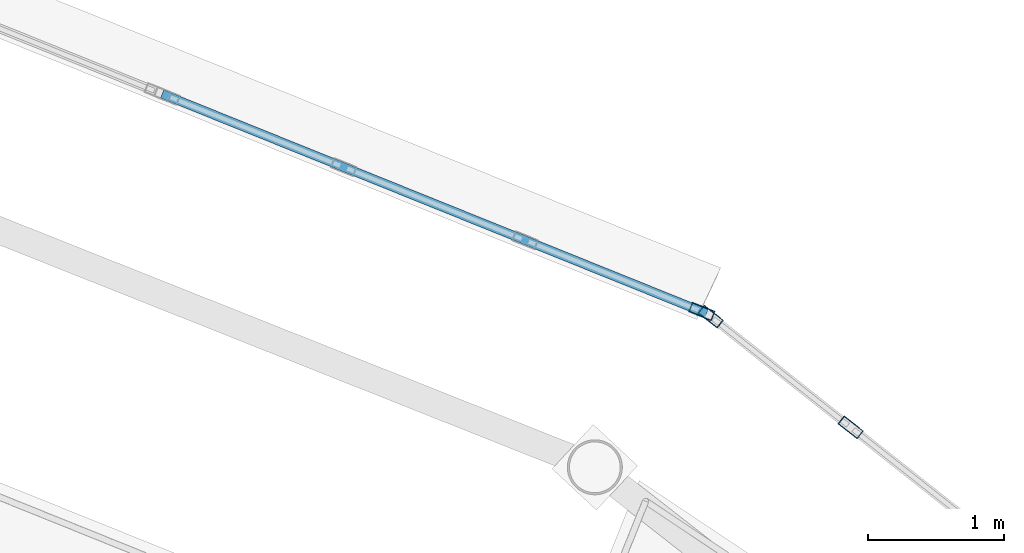
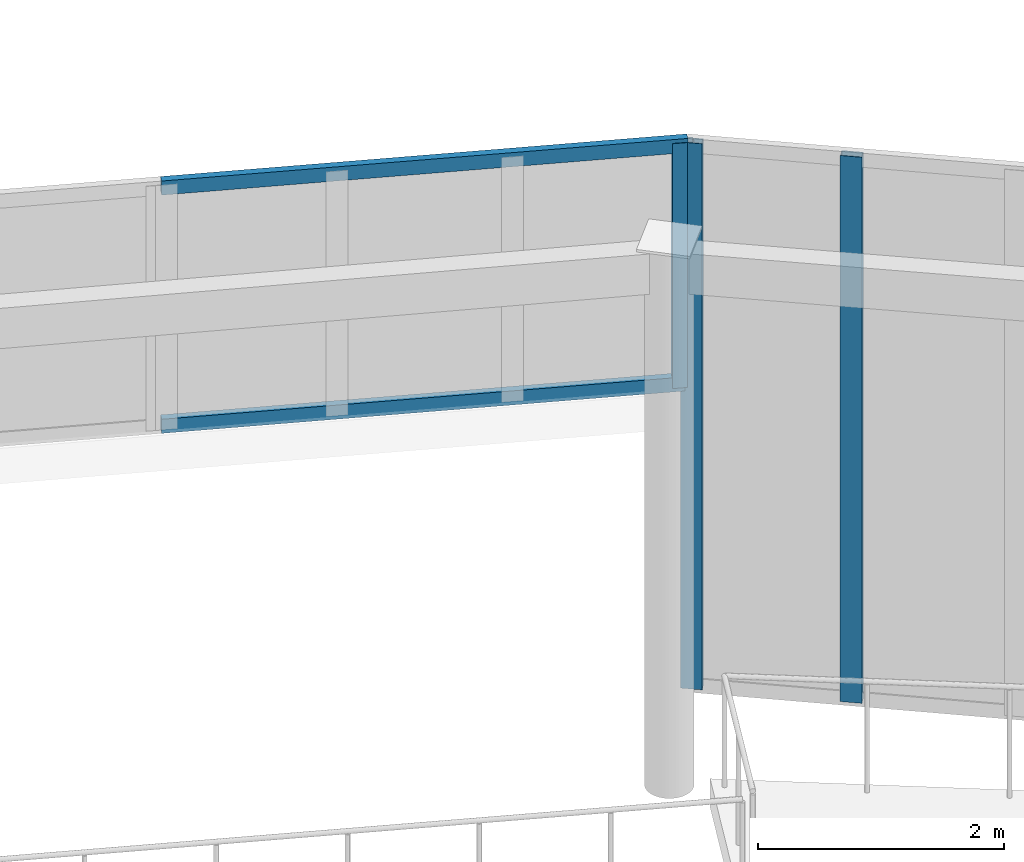
# One storey, part 47 of 98: 5 members, 2 elements without a shape of their own.
"""IFC4 building model written with IfcOpenShell, lengths in metres."""

from ifc_helpers import new_model, si_unit, direction, frame, origin, origin_2d, place, context, subcontext, project, spatial, hollow_rectangle, extrude, material, layer, layer_set, material_profile, profile_set, type_object, element, aggregate, save


model = new_model("IFC4")

# Units and contexts
model_context = context("Model", 3, precision=1e-05, world=origin(), true_north=direction((0.0, 1.0)))
body_context = subcontext(model_context, "Body", "Model", "MODEL_VIEW")
ifc_project = project(units=[si_unit("LENGTHUNIT", "METRE"), si_unit("AREAUNIT", "SQUARE_METRE"), si_unit("VOLUMEUNIT", "CUBIC_METRE"), si_unit("PLANEANGLEUNIT", "RADIAN"), si_unit("MASSUNIT", "GRAM", prefix="KILO")], contexts=[model_context])

# Site, building, storey
site_placement = place(None, origin())
site = spatial("IfcSite", under=ifc_project, at=site_placement, CompositionType="ELEMENT")
building_placement = place(site_placement, origin())
building = spatial("IfcBuilding", under=site, at=building_placement, Name="Sollismere Congress Hotel", CompositionType="ELEMENT")
storey_placement = place(building_placement, frame((0.0, 0.0, 5.39990234375)))
storey = spatial("IfcBuildingStorey", under=building, at=storey_placement, Name="L01", CompositionType="ELEMENT", Elevation=5.39990234375)

# Curtain wall, members
ifc_material_1 = material(Name="Anodized Bronze Curtain Wall & Low-E Triple Glazing", Category="glass")
ifc_layer = layer(ifc_material_1, 0.199951171875, Name="Anodized Bronze Curtain Wall & Low-E Triple Glazing")
ifc_layer_set = layer_set([ifc_layer], Name="Anodized Bronze Curtain Wall & Low-E Triple Glazing")
curtain_wall_type = type_object("IfcCurtainWallType", Name="CW-GLZ36", PredefinedType="USERDEFINED", material=ifc_layer_set)
curtain_wall_1_placement = place(storey_placement, origin())
curtain_wall_1 = element("IfcCurtainWall", 1, at=curtain_wall_1_placement, inside=storey, type_object=curtain_wall_type, Name="Unitised curtain wall CW-L01-004", ObjectType="UNITISED CURTAIN WALL", PredefinedType="USERDEFINED")
ifc_material_2 = material(Name="Anodized Aluminum 6063-T6", Category="aluminium")
ifc_material_profile_1 = material_profile(ifc_material_2, hollow_rectangle(XDim=0.074951171875, YDim=0.179931640625, WallThickness=0.0048828125, at=origin_2d()), Name="ALU180X75X5")
ifc_profile_set_1 = profile_set([ifc_material_profile_1], Name="Anodized Aluminum 6063-T6")
member_type_1 = type_object("IfcMemberType", Name="ML-CW180", PredefinedType="MULLION", material=ifc_profile_set_1)
member_1_placement = place(storey_placement, frame((46.958984375, 107.96630859375, 0.0), z_axis=(0.0, 0.0, 1.0), x_axis=(-0.620532077362, -0.784181063891, 0.0)))
member_1 = element("IfcMember", 2, at=member_1_placement, type_object=member_type_1, Name="CWL-CW-L01-004-ML03", PredefinedType="MULLION", context=body_context, shape_type="SweptSolid", body=[
    extrude(hollow_rectangle(XDim=0.074951171875, YDim=0.179931640625, WallThickness=0.0048828125, at=origin_2d()), origin(), (0.0, 0.0, 1.0), 5.420166015625),
])
member_2_placement = place(storey_placement, frame((45.9287109375, 108.781494140625, 0.0), z_axis=(0.0, 0.0, 1.0), x_axis=(-0.620532077362, -0.784181063891, 0.0)))
member_2 = element("IfcMember", 3, at=member_2_placement, type_object=member_type_1, Name="CWL-CW-L01-004-ML04", PredefinedType="MULLION", context=body_context, shape_type="SweptSolid", body=[
    extrude(hollow_rectangle(XDim=0.074951171875, YDim=0.179931640625, WallThickness=0.0048828125, at=origin_2d()), origin(), (0.0, 0.0, 1.0), 5.420166015625),
])
aggregate(curtain_wall_1, [member_1, member_2])

curtain_wall_2_placement = place(storey_placement, origin())
curtain_wall_2 = element("IfcCurtainWall", 4, at=curtain_wall_2_placement, inside=storey, type_object=curtain_wall_type, Name="Unitised curtain wall CW-L01-007", ObjectType="UNITISED CURTAIN WALL", PredefinedType="USERDEFINED")
member_3_placement = place(storey_placement, frame((45.863525390625, 108.8193359375, 2.989990234375), z_axis=(0.0, 0.0, 1.0), x_axis=(-0.373943018709, -0.927451680013, 0.0)))
member_3 = element("IfcMember", 5, at=member_3_placement, type_object=member_type_1, Name="CWL-CW-L01-007-ML01", PredefinedType="MULLION", context=body_context, shape_type="SweptSolid", body=[
    extrude(hollow_rectangle(XDim=0.074951171875, YDim=0.179931640625, WallThickness=0.0048828125, at=origin_2d()), origin(), (0.0, 0.0, 1.0), 2.43017578125),
])
ifc_material_profile_2 = material_profile(ifc_material_2, hollow_rectangle(XDim=0.06494140625, YDim=0.139892578125, WallThickness=0.00390625, at=origin_2d()), Name="ALU140X65X4")
ifc_profile_set_2 = profile_set([ifc_material_profile_2], Name="Anodized Aluminum 6063-T6")
member_type_2 = type_object("IfcMemberType", Name="TR-CW150", PredefinedType="MEMBER", material=ifc_profile_set_2)
member_4_placement = place(storey_placement, frame((45.898681640625, 108.80517578125, 3.022705078125), z_axis=(-0.927444316939, 0.373961280052, 0.0), x_axis=(-0.373961280052, -0.927444316939, 0.0)))
member_4 = element("IfcMember", 6, at=member_4_placement, type_object=member_type_2, Name="CWL-CW-L01-007-TR1", PredefinedType="MEMBER", context=body_context, shape_type="SweptSolid", body=[
    extrude(hollow_rectangle(XDim=0.06494140625, YDim=0.139892578125, WallThickness=0.00390625, at=origin_2d()), origin(), (0.0, 0.0, 1.0), 4.320556640625),
])
member_5_placement = place(storey_placement, frame((45.898681640625, 108.80517578125, 5.3876953125), z_axis=(-0.927444316939, 0.373961280052, 0.0), x_axis=(-0.373961280052, -0.927444316939, 0.0)))
member_5 = element("IfcMember", 7, at=member_5_placement, type_object=member_type_2, Name="CWL-CW-L01-007-TR2", PredefinedType="MEMBER", context=body_context, shape_type="SweptSolid", body=[
    extrude(hollow_rectangle(XDim=0.06494140625, YDim=0.139892578125, WallThickness=0.00390625, at=origin_2d()), origin(), (0.0, 0.0, 1.0), 4.320556640625),
])
aggregate(curtain_wall_2, [member_3, member_4, member_5])

save(model, "model.ifc")
